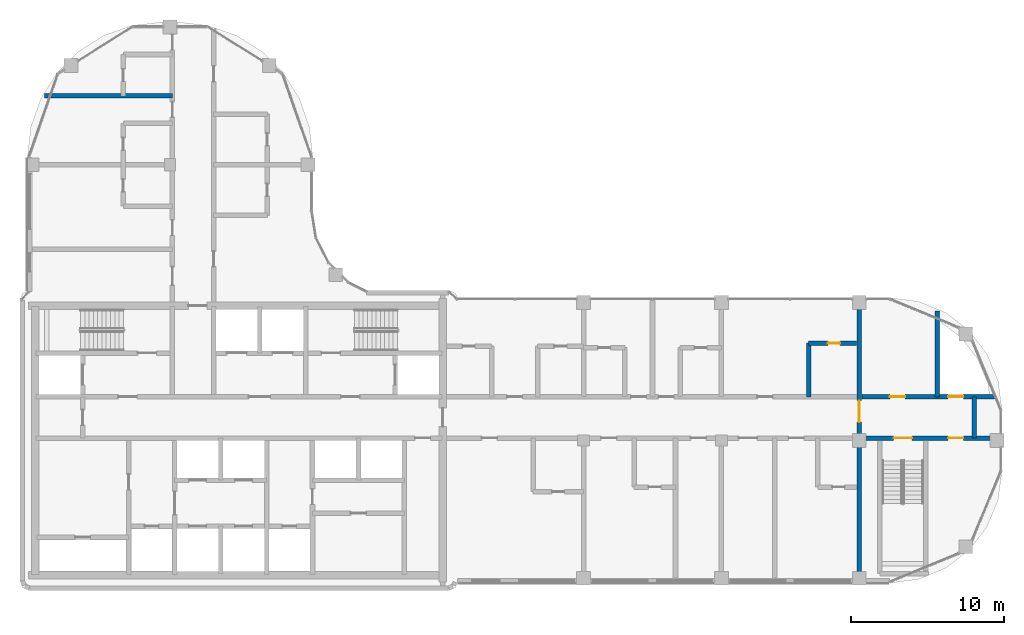
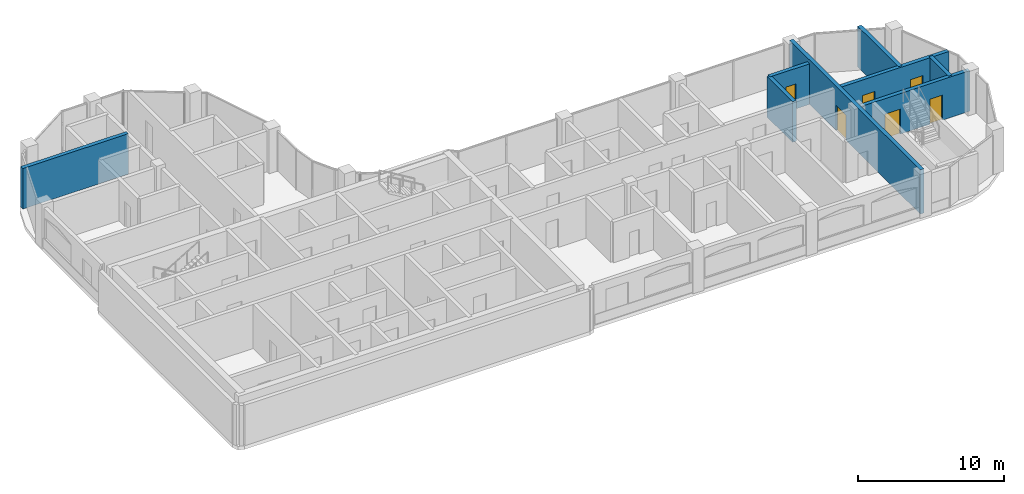
# One storey, part 12 of 17: 8 walls, 6 doors, 6 openings.
"""IFC4 building model written with IfcOpenShell, lengths in metres."""

from ifc_helpers import new_model, si_unit, direction, frame, frame_2d, origin, place, context, subcontext, project, spatial, rectangle, extrude, material, layer, layer_set, type_object, element, fill, save


model = new_model("IFC4")

# Units and contexts
model_context = context("Model", 3, precision=1e-05, world=origin(), true_north=direction((0.0, 1.0)))
body_context = subcontext(model_context, "Body", "Model", "MODEL_VIEW")
ifc_project = project(units=[si_unit("LENGTHUNIT", "METRE"), si_unit("AREAUNIT", "SQUARE_METRE"), si_unit("VOLUMEUNIT", "CUBIC_METRE"), si_unit("PLANEANGLEUNIT", "RADIAN"), si_unit("MASSUNIT", "GRAM", prefix="KILO")], contexts=[model_context])

# Site, building, storey
site_placement = place(None, origin())
site = spatial("IfcSite", under=ifc_project, at=site_placement, CompositionType="ELEMENT")
building_placement = place(site_placement, origin())
building = spatial("IfcBuilding", under=site, at=building_placement, Name="Ogive Portal Towers", CompositionType="ELEMENT")
storey_placement = place(building_placement, frame((0.0, 0.0, 221.699951171875)))
storey = spatial("IfcBuildingStorey", under=building, at=storey_placement, Name="L55", CompositionType="ELEMENT", Elevation=221.699951171875)

# Wall, opening, door
ifc_material_1 = material(Name="Concrete C60/75", Category="concrete")
ifc_layer_1 = layer(ifc_material_1, 0.300048828125)
ifc_layer_set_1 = layer_set([ifc_layer_1], Name="REVEAL WALL 300 C60")
wall_type_1 = type_object("IfcWallType", Name="REVEAL WALL 300 C60", PredefinedType="SHEAR", material=ifc_layer_set_1)
wall_1_placement = place(storey_placement, frame((85.5, 21.530029296875, 0.0), z_axis=(0.0, 0.0, 1.0), x_axis=(0.0, 1.0, 0.0)))
wall_1 = element("IfcWall", 1, at=wall_1_placement, inside=storey, type_object=wall_type_1, Name="Portal reveal wall L55", PredefinedType="SHEAR", context=body_context, shape_type="SweptSolid", body=[
    extrude(rectangle(XDim=17.93994140625, YDim=0.300048828125, at=frame_2d((8.969970703125, 0.0))), origin(), (0.0, 0.0, 1.0), 3.699951171875),
])
opening_1_placement = place(wall_1_placement, frame((10.169921875, 0.0, 0.0)))
opening_1 = element("IfcOpeningElement", 2, at=opening_1_placement, cuts=wall_1, Name="Opening D24-057", PredefinedType="OPENING", context=body_context, shape_type="SweptSolid", body=[
    extrude(rectangle(XDim=1.39990234375, YDim=2.10009765625, at=frame_2d((0.699951171875, 1.050048828125))), frame((0.0, 0.16015625, 0.0), z_axis=(0.0, -1.0, 0.0), x_axis=(1.0, 0.0, 0.0)), (0.0, 0.0, 1.0), 0.320068359375),
])
ifc_material_2 = material(Name="Steel fire door", Category="steel")
door_type_1 = type_object("IfcDoorType", Name="DT-STAIR-1400x2100-FD90S", OperationType="SINGLE_SWING_LEFT", PredefinedType="DOOR", material=ifc_material_2)
door_1_placement = place(opening_1_placement, origin())
door_1 = element("IfcDoor", 3, at=door_1_placement, inside=storey, type_object=door_type_1, Name="Door D24-057", OperationType="SINGLE_SWING_RIGHT", OverallHeight=2.10009765625, OverallWidth=1.39990234375, PredefinedType="DOOR", context=body_context, shape_type="SweptSolid", body=[
    extrude(rectangle(XDim=1.39990234375, YDim=2.10009765625, at=frame_2d((0.699951171875, 1.050048828125))), frame((0.0, 0.02490234375, 0.0), z_axis=(0.0, -1.0, 0.0), x_axis=(1.0, 0.0, 0.0)), (0.0, 0.0, 1.0), 0.050048828125),
])
fill(opening_1, door_1)

# Wall, openings, doors
ifc_material_3 = material(Name="Concrete C50/60", Category="concrete")
ifc_layer_2 = layer(ifc_material_3, 0.300048828125)
ifc_layer_set_2 = layer_set([ifc_layer_2], Name="STAIR WALL 300 C50")
wall_type_2 = type_object("IfcWallType", Name="STAIR WALL 300 C50", PredefinedType="SHEAR", material=ifc_layer_set_2)
wall_2_placement = place(storey_placement, frame((85.669921875, 30.64990234375, 0.0), z_axis=(0.0, 0.0, 1.0), x_axis=(1.0, 0.0, 0.0)))
wall_2 = element("IfcWall", 4, at=wall_2_placement, inside=storey, type_object=wall_type_2, Name="Stair wall ST-A4 L55", PredefinedType="SHEAR", context=body_context, shape_type="SweptSolid", body=[
    extrude(rectangle(XDim=8.800048828125, YDim=0.300048828125, at=frame_2d((4.39990234375, 0.0))), origin(), (0.0, 0.0, 1.0), 3.400146484375),
])
opening_2_placement = place(wall_2_placement, frame((2.080078125, 0.0, 0.0)))
opening_2 = element("IfcOpeningElement", 5, at=opening_2_placement, cuts=wall_2, Name="Opening D24-053", PredefinedType="OPENING", context=body_context, shape_type="SweptSolid", body=[
    extrude(rectangle(XDim=1.199951171875, YDim=2.10009765625, at=frame_2d((0.60009765625, 1.050048828125))), frame((0.0, 0.16015625, 0.0), z_axis=(0.0, -1.0, 0.0), x_axis=(1.0, 0.0, 0.0)), (0.0, 0.0, 1.0), 0.320068359375),
])
opening_3_placement = place(wall_2_placement, frame((5.6298828125, 0.0, 0.0)))
opening_3 = element("IfcOpeningElement", 6, at=opening_3_placement, cuts=wall_2, Name="Opening D24-056", PredefinedType="OPENING", context=body_context, shape_type="SweptSolid", body=[
    extrude(rectangle(XDim=1.0, YDim=2.10009765625, at=frame_2d((0.5, 1.050048828125))), frame((0.0, 0.16015625, 0.0), z_axis=(0.0, -1.0, 0.0), x_axis=(1.0, 0.0, 0.0)), (0.0, 0.0, 1.0), 0.320068359375),
])
door_type_2 = type_object("IfcDoorType", Name="DT-SERVICE-1000x2100-FD90S", OperationType="SINGLE_SWING_LEFT", PredefinedType="DOOR", material=ifc_material_2)
door_2_placement = place(opening_3_placement, origin())
door_2 = element("IfcDoor", 7, at=door_2_placement, inside=storey, type_object=door_type_2, Name="Door D24-056", OperationType="SINGLE_SWING_LEFT", OverallHeight=2.10009765625, OverallWidth=1.0, PredefinedType="DOOR", context=body_context, shape_type="SweptSolid", body=[
    extrude(rectangle(XDim=1.0, YDim=2.10009765625, at=frame_2d((0.5, 1.050048828125))), frame((0.0, 0.02490234375, 0.0), z_axis=(0.0, -1.0, 0.0), x_axis=(1.0, 0.0, 0.0)), (0.0, 0.0, 1.0), 0.050048828125),
])
fill(opening_3, door_2)
door_type_3 = type_object("IfcDoorType", Name="DT-STAIR-1200x2100-FD90S", OperationType="SINGLE_SWING_LEFT", PredefinedType="DOOR", material=ifc_material_2)
door_3_placement = place(opening_2_placement, origin())
door_3 = element("IfcDoor", 8, at=door_3_placement, inside=storey, type_object=door_type_3, Name="Door D24-053", OperationType="SINGLE_SWING_LEFT", OverallHeight=2.10009765625, OverallWidth=1.199951171875, PredefinedType="DOOR", context=body_context, shape_type="SweptSolid", body=[
    extrude(rectangle(XDim=1.199951171875, YDim=2.10009765625, at=frame_2d((0.60009765625, 1.050048828125))), frame((0.0, 0.02490234375, 0.0), z_axis=(0.0, -1.0, 0.0), x_axis=(1.0, 0.0, 0.0)), (0.0, 0.0, 1.0), 0.050048828125),
])
fill(opening_2, door_3)

ifc_material_4 = material(Name="Gypsum board partition on steel studs", Category="steel")
ifc_layer_3 = layer(ifc_material_4, 0.300048828125)
ifc_layer_set_3 = layer_set([ifc_layer_3], Name="WT-PART-300-EI 120")
wall_type_3 = type_object("IfcWallType", Name="WT-PART-300-EI 120", PredefinedType="PARTITIONING", material=ifc_layer_set_3)
wall_3_placement = place(storey_placement, frame((85.669921875, 33.35009765625, 0.0), z_axis=(0.0, 0.0, 1.0), x_axis=(1.0, 0.0, 0.0)))
wall_3 = element("IfcWall", 9, at=wall_3_placement, inside=storey, type_object=wall_type_3, Name="Wall L55:w008", PredefinedType="PARTITIONING", context=body_context, shape_type="SweptSolid", body=[
    extrude(rectangle(XDim=8.68505859375, YDim=0.300048828125, at=frame_2d((4.342529296875, 0.0))), origin(), (0.0, 0.0, 1.0), 3.400146484375),
])
opening_4_placement = place(wall_3_placement, frame((1.830078125, 0.0, 0.0)))
opening_4 = element("IfcOpeningElement", 10, at=opening_4_placement, cuts=wall_3, Name="Opening D24-054", PredefinedType="OPENING", context=body_context, shape_type="SweptSolid", body=[
    extrude(rectangle(XDim=1.0, YDim=2.10009765625, at=frame_2d((0.5, 1.050048828125))), frame((0.0, 0.16015625, 0.0), z_axis=(0.0, -1.0, 0.0), x_axis=(1.0, 0.0, 0.0)), (0.0, 0.0, 1.0), 0.320068359375),
])
opening_5_placement = place(wall_3_placement, frame((5.6298828125, 0.0, 0.0)))
opening_5 = element("IfcOpeningElement", 11, at=opening_5_placement, cuts=wall_3, Name="Opening D24-055", PredefinedType="OPENING", context=body_context, shape_type="SweptSolid", body=[
    extrude(rectangle(XDim=1.0, YDim=2.10009765625, at=frame_2d((0.5, 1.050048828125))), frame((0.0, 0.16015625, 0.0), z_axis=(0.0, -1.0, 0.0), x_axis=(1.0, 0.0, 0.0)), (0.0, 0.0, 1.0), 0.320068359375),
])
door_4_placement = place(opening_4_placement, origin())
door_4 = element("IfcDoor", 12, at=door_4_placement, inside=storey, type_object=door_type_2, Name="Door D24-054", OperationType="SINGLE_SWING_LEFT", OverallHeight=2.10009765625, OverallWidth=1.0, PredefinedType="DOOR", context=body_context, shape_type="SweptSolid", body=[
    extrude(rectangle(XDim=1.0, YDim=2.10009765625, at=frame_2d((0.5, 1.050048828125))), frame((0.0, 0.02490234375, 0.0), z_axis=(0.0, -1.0, 0.0), x_axis=(1.0, 0.0, 0.0)), (0.0, 0.0, 1.0), 0.050048828125),
])
fill(opening_4, door_4)
door_5_placement = place(opening_5_placement, origin())
door_5 = element("IfcDoor", 13, at=door_5_placement, inside=storey, type_object=door_type_2, Name="Riser access door D24-055", OperationType="SINGLE_SWING_RIGHT", OverallHeight=2.10009765625, OverallWidth=1.0, PredefinedType="DOOR", context=body_context, shape_type="SweptSolid", body=[
    extrude(rectangle(XDim=1.0, YDim=2.10009765625, at=frame_2d((0.5, 1.050048828125))), frame((0.0, 0.02490234375, 0.0), z_axis=(0.0, -1.0, 0.0), x_axis=(1.0, 0.0, 0.0)), (0.0, 0.0, 1.0), 0.050048828125),
])
fill(opening_5, door_5)

# Wall
wall_4_placement = place(storey_placement, frame((93.0, 30.64990234375, 0.0), z_axis=(0.0, 0.0, 1.0), x_axis=(0.0, 1.0, 0.0)))
element("IfcWall", 14, at=wall_4_placement, inside=storey, type_object=wall_type_3, Name="Wall L55:w046", PredefinedType="PARTITIONING", context=body_context, shape_type="SweptSolid", body=[
    extrude(rectangle(XDim=2.7001953125, YDim=0.300048828125, at=frame_2d((1.35009765625, 0.0))), origin(), (0.0, 0.0, 1.0), 3.400146484375),
])

# Wall, opening, door
ifc_layer_4 = layer(ifc_material_4, 0.300048828125)
ifc_layer_set_4 = layer_set([ifc_layer_4], Name="WT-PART-300-EI 60")
wall_type_4 = type_object("IfcWallType", Name="WT-PART-300-EI 60", PredefinedType="PARTITIONING", material=ifc_layer_set_4)
wall_5_placement = place(storey_placement, frame((82.199951171875, 36.85009765625, 0.0), z_axis=(0.0, 0.0, 1.0), x_axis=(1.0, 0.0, 0.0)))
wall_5 = element("IfcWall", 15, at=wall_5_placement, inside=storey, type_object=wall_type_4, Name="Wall L55:w013", PredefinedType="PARTITIONING", context=body_context, shape_type="SweptSolid", body=[
    extrude(rectangle(XDim=3.130126953125, YDim=0.300048828125, at=frame_2d((1.56494140625, 0.0))), origin(), (0.0, 0.0, 1.0), 3.400146484375),
])
opening_6_placement = place(wall_5_placement, frame((1.25, 0.0, 0.0)))
opening_6 = element("IfcOpeningElement", 16, at=opening_6_placement, cuts=wall_5, Name="Opening D24-037", PredefinedType="OPENING", context=body_context, shape_type="SweptSolid", body=[
    extrude(rectangle(XDim=0.800048828125, YDim=2.10009765625, at=frame_2d((0.39990234375, 1.050048828125))), frame((0.0, 0.16015625, 0.0), z_axis=(0.0, -1.0, 0.0), x_axis=(1.0, 0.0, 0.0)), (0.0, 0.0, 1.0), 0.320068359375),
])
door_type_4 = type_object("IfcDoorType", Name="DT-BATH-800x2100-FD60S", OperationType="SINGLE_SWING_LEFT", PredefinedType="DOOR", material=ifc_material_2)
door_6_placement = place(opening_6_placement, origin())
door_6 = element("IfcDoor", 17, at=door_6_placement, inside=storey, type_object=door_type_4, Name="Door D24-037", OperationType="SINGLE_SWING_LEFT", OverallHeight=2.10009765625, OverallWidth=0.800048828125, PredefinedType="DOOR", context=body_context, shape_type="SweptSolid", body=[
    extrude(rectangle(XDim=0.800048828125, YDim=2.10009765625, at=frame_2d((0.39990234375, 1.050048828125))), frame((0.0, 0.02490234375, 0.0), z_axis=(0.0, -1.0, 0.0), x_axis=(1.0, 0.0, 0.0)), (0.0, 0.0, 1.0), 0.050048828125),
])
fill(opening_6, door_6)

# Walls
wall_6_placement = place(storey_placement, frame((32.2900390625, 53.0, 0.0), z_axis=(0.0, 0.0, 1.0), x_axis=(1.0, 0.0, 0.0)))
element("IfcWall", 18, at=wall_6_placement, inside=storey, type_object=wall_type_4, Name="Wall L55:w021", PredefinedType="PARTITIONING", context=body_context, shape_type="SweptSolid", body=[
    extrude(rectangle(XDim=8.35986328125, YDim=0.300048828125, at=frame_2d((4.179931640625, 0.0))), origin(), (0.0, 0.0, 1.0), 3.400146484375),
])
wall_7_placement = place(storey_placement, frame((82.199951171875, 33.35009765625, 0.0), z_axis=(0.0, 0.0, 1.0), x_axis=(0.0, 1.0, 0.0)))
element("IfcWall", 19, at=wall_7_placement, inside=storey, type_object=wall_type_4, Name="Wall L55:w041", PredefinedType="PARTITIONING", context=body_context, shape_type="SweptSolid", body=[
    extrude(rectangle(XDim=3.5, YDim=0.300048828125, at=frame_2d((1.75, 0.0))), origin(), (0.0, 0.0, 1.0), 3.400146484375),
])
wall_8_placement = place(storey_placement, frame((90.60009765625, 33.35009765625, 0.0), z_axis=(0.0, 0.0, 1.0), x_axis=(0.0, 1.0, 0.0)))
element("IfcWall", 20, at=wall_8_placement, inside=storey, type_object=wall_type_4, Name="Wall L55:w045", PredefinedType="PARTITIONING", context=body_context, shape_type="SweptSolid", body=[
    extrude(rectangle(XDim=5.602783203125, YDim=0.300048828125, at=frame_2d((2.80126953125, 0.0))), origin(), (0.0, 0.0, 1.0), 3.400146484375),
])

save(model, "model.ifc")
